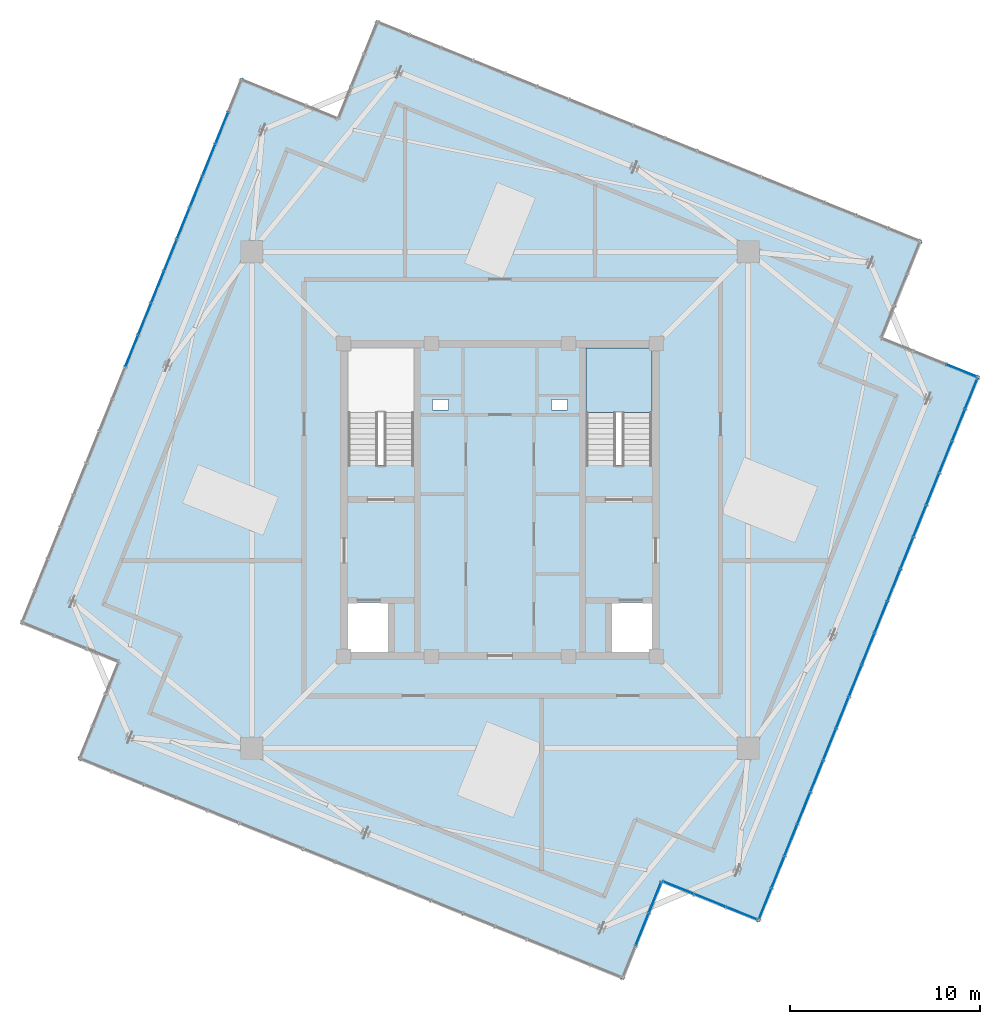
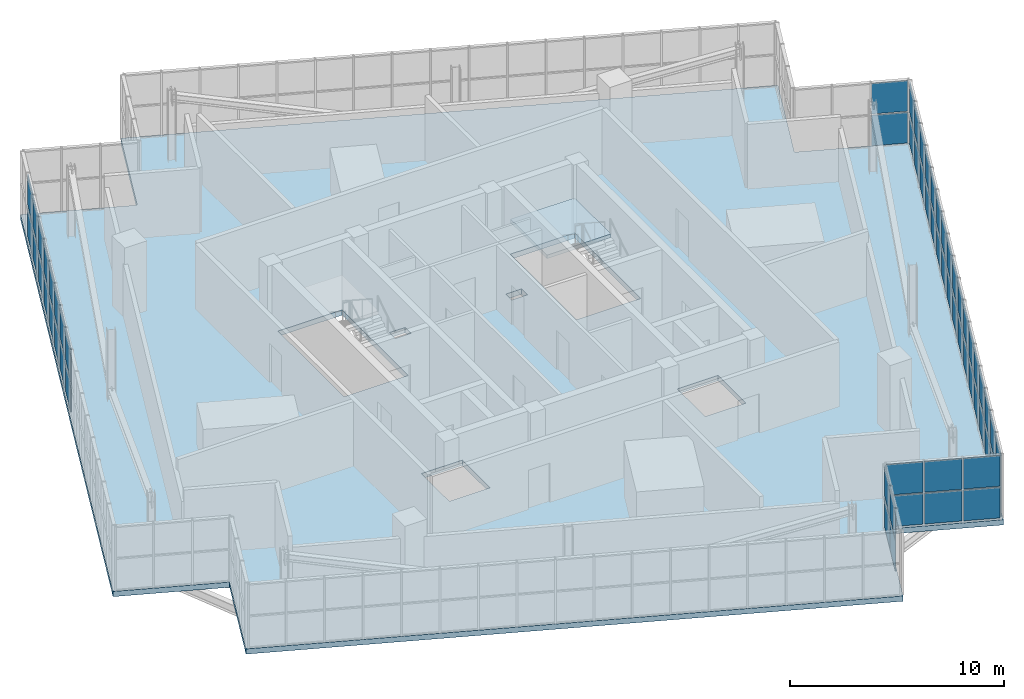
# One storey, part 19 of 26: 62 plates, 2 slabs, 6 elements without a shape of their own.
"""IFC4 building model written with IfcOpenShell, lengths in metres."""

import ifcopenshell
import ifcopenshell.guid

model = None  # the IFC model being written
_history = None  # IfcOwnerHistory: only IFC2X3 demands one
_inside = {}  # id of a spatial element -> (the spatial element, [elements in it])
_under = {}  # id of a project, library or spatial element -> (it, [spatial elements below it])
_declared = {}  # id of a project -> (the project, [libraries it declares])
_typed = {}  # id of a type object -> (the type object, [elements of that type])
_made_of = {}  # id of a material, layer set ... -> (it, [elements and type objects made of it])


def new_model(schema):
    """Start an empty IFC model of exactly this schema.

    Asked for "IFC4X3", IfcOpenShell would pick the latest addendum, in which some entities
    have other attributes; the version numbers below select the first issue.
    IFC2X3 requires an IfcOwnerHistory on every rooted entity: one is made here for all.
    """
    global model, _history
    if schema == "IFC4X3":
        model = ifcopenshell.file(schema_version=(4, 3, 0, 0))
    else:
        model = ifcopenshell.file(schema=schema)
    _inside.clear()
    _under.clear()
    _declared.clear()
    _typed.clear()
    _made_of.clear()
    _history = None
    if model.schema == "IFC2X3":
        org = make("IfcOrganization", Name="unknown")
        user = make(
            "IfcPersonAndOrganization",
            ThePerson=make("IfcPerson", FamilyName="unknown"),
            TheOrganization=org,
        )
        app = make(
            "IfcApplication",
            ApplicationDeveloper=org,
            Version="unknown",
            ApplicationFullName="unknown",
            ApplicationIdentifier="unknown",
        )
        _history = make(
            "IfcOwnerHistory",
            OwningUser=user,
            OwningApplication=app,
            ChangeAction="ADDED",
            CreationDate=0,
        )
    return model


def make(cls, **values):
    """One entity of the class cls with the attributes given. An attribute that is None is left unset."""
    return model.create_entity(
        cls, **{name: value for name, value in values.items() if value is not None}
    )


def rooted(cls, **values):
    """An entity with a GlobalId (a new one), such as an element, a storey or a relation."""
    return make(cls, GlobalId=ifcopenshell.guid.new(), OwnerHistory=_history, **values)


def si_unit(unit_type, name, prefix=None):
    """IfcSIUnit, for example si_unit("LENGTHUNIT", "METRE", prefix="MILLI")."""
    return make("IfcSIUnit", UnitType=unit_type, Prefix=prefix, Name=name)


def assignment(units):
    """IfcUnitAssignment: the units of a project."""
    return None if units is None else make("IfcUnitAssignment", Units=units)


def point(xyz):
    """IfcCartesianPoint."""
    return None if xyz is None else make("IfcCartesianPoint", Coordinates=xyz)


def direction(xyz):
    """IfcDirection."""
    return None if xyz is None else make("IfcDirection", DirectionRatios=xyz)


def frame(location, z_axis=None, x_axis=None):
    """IfcAxis2Placement3D, a coordinate frame: its origin and axes. An axis left out is left unset."""
    return make(
        "IfcAxis2Placement3D",
        Location=point(location),
        Axis=direction(z_axis),
        RefDirection=direction(x_axis),
    )


def frame_2d(location, x_axis=None):
    """IfcAxis2Placement2D, a coordinate frame in the plane: its origin and x axis."""
    return make(
        "IfcAxis2Placement2D", Location=point(location), RefDirection=direction(x_axis)
    )


def origin():
    """The frame at (0, 0, 0) with its axes left unset."""
    return frame((0.0, 0.0, 0.0))


def origin_2d():
    """The frame at (0, 0) in the plane with its x axis left unset."""
    return frame_2d((0.0, 0.0))


def place(relative_to, where):
    """IfcLocalPlacement: puts the frame where relative to a parent placement (None: the world)."""
    return make(
        "IfcLocalPlacement", PlacementRelTo=relative_to, RelativePlacement=where
    )


def context(
    kind, dimensions, precision=None, world=None, true_north=None, identifier=None
):
    """IfcGeometricRepresentationContext, for example the 3D "Model" context."""
    return make(
        "IfcGeometricRepresentationContext",
        ContextIdentifier=identifier,
        ContextType=kind,
        CoordinateSpaceDimension=dimensions,
        Precision=precision,
        WorldCoordinateSystem=world,
        TrueNorth=true_north,
    )


def subcontext(parent, identifier, kind, view, scale=None):
    """IfcGeometricRepresentationSubContext, for example "Body" below "Model"."""
    return make(
        "IfcGeometricRepresentationSubContext",
        ContextIdentifier=identifier,
        ContextType=kind,
        ParentContext=parent,
        TargetScale=scale,
        TargetView=view,
    )


def project(units=None, contexts=None):
    """IfcProject with its units and contexts."""
    return rooted(
        "IfcProject",
        Name="project",
        RepresentationContexts=contexts,
        UnitsInContext=assignment(units),
    )


def spatial(cls, under=None, at=None, **own):
    """A site, building, storey or space (cls), placed at a placement, below another one or the project."""
    s = rooted(cls, ObjectPlacement=at, **own)
    if under is not None:
        _under.setdefault(under.id(), (under, []))[1].append(s)
    return s


def polyline(points):
    """IfcPolyline through the points."""
    return make("IfcPolyline", Points=[point(p) for p in points])


def profile(cls, at=None, kind="AREA", **sizes):
    """A parametric profile (cls). Its sizes go by their IFC names, for example OverallWidth=200.0."""
    return make(cls, ProfileType=kind, Position=at, **sizes)


def rectangle(**sizes):
    """IfcRectangleProfileDef."""
    return profile("IfcRectangleProfileDef", **sizes)


def outline(outer, holes=None, kind="AREA"):
    """IfcArbitraryClosedProfileDef: a profile drawn as a closed curve; with holes, ...WithVoids."""
    if holes is None:
        return make("IfcArbitraryClosedProfileDef", ProfileType=kind, OuterCurve=outer)
    return make(
        "IfcArbitraryProfileDefWithVoids",
        ProfileType=kind,
        OuterCurve=outer,
        InnerCurves=holes,
    )


def extrude(swept, where, along, depth):
    """IfcExtrudedAreaSolid: the profile swept, set in the frame where, extruded along a direction by depth."""
    return make(
        "IfcExtrudedAreaSolid",
        SweptArea=swept,
        Position=where,
        ExtrudedDirection=direction(along),
        Depth=depth,
    )


def shape(context_of_items, identifier, shape_type, items):
    """IfcShapeRepresentation: the items that make up one representation, for example the "Body"."""
    return make(
        "IfcShapeRepresentation",
        ContextOfItems=context_of_items,
        RepresentationIdentifier=identifier,
        RepresentationType=shape_type,
        Items=items,
    )


def source(mapping_origin, context_of_items, identifier, shape_type, items):
    """IfcRepresentationMap: a shape defined once, which mapped items show again and again."""
    return make(
        "IfcRepresentationMap",
        MappingOrigin=mapping_origin,
        MappedRepresentation=shape(context_of_items, identifier, shape_type, items),
    )


def transform(
    local_origin,
    x_axis=None,
    y_axis=None,
    z_axis=None,
    scale=None,
    scale2=None,
    scale3=None,
    uniform=True,
):
    """IfcCartesianTransformationOperator3D, or its non-uniform kind. x_axis, y_axis, z_axis: its Axis1, 2, 3."""
    if uniform:
        return make(
            "IfcCartesianTransformationOperator3D",
            Axis1=direction(x_axis),
            Axis2=direction(y_axis),
            LocalOrigin=point(local_origin),
            Scale=scale,
            Axis3=direction(z_axis),
        )
    return make(
        "IfcCartesianTransformationOperator3DnonUniform",
        Axis1=direction(x_axis),
        Axis2=direction(y_axis),
        LocalOrigin=point(local_origin),
        Scale=scale,
        Axis3=direction(z_axis),
        Scale2=scale2,
        Scale3=scale3,
    )


def mapped(mapping_source, mapping_target):
    """IfcMappedItem: shows the shape of a source again, moved by a transform."""
    return make(
        "IfcMappedItem", MappingSource=mapping_source, MappingTarget=mapping_target
    )


def material(Name=None, Category=None):
    """IfcMaterial."""
    return make("IfcMaterial", Name=Name, Category=Category)


def layer(
    of_material, thickness, ventilated=None, Name=None, Category=None, Priority=None
):
    """IfcMaterialLayer: one layer of a wall or slab, of a material (None: an air gap)."""
    return make(
        "IfcMaterialLayer",
        Material=of_material,
        LayerThickness=thickness,
        IsVentilated=ventilated,
        Name=Name,
        Category=Category,
        Priority=Priority,
    )


def layer_set(layers, Name=None):
    """IfcMaterialLayerSet."""
    return make("IfcMaterialLayerSet", MaterialLayers=layers, LayerSetName=Name)


def made_of(thing, what):
    """Note that an element or type object is made of a material, layer set ...; save() writes the relation."""
    if what is not None:
        _made_of.setdefault(what.id(), (what, []))[1].append(thing)
    return thing


def type_object(cls, material=None, **own):
    """A type object (cls), such as IfcWallType, which elements share."""
    return made_of(rooted(cls, **own), material)


def element(
    cls,
    number,
    at=None,
    inside=None,
    cuts=None,
    type_object=None,
    material=None,
    context=None,
    identifier="Body",
    shape_type=None,
    held_by="IfcProductDefinitionShape",
    body=None,
    shapes=None,
    **own,
):
    """One element of the class cls, such as IfcWall. Its Tag is "e" and its number.

    at: its placement. inside: the storey or other place that contains it. cuts: it is an
    opening in that element (IfcRelVoidsElement). A single representation is given by context,
    identifier, shape_type and body (its items); several are given by shapes. held_by: the class
    of the entity that holds the representations. save() writes the other relations.
    """
    e = rooted(cls, Tag="e%d" % number, ObjectPlacement=at, **own)
    if body is not None:
        shapes = [shape(context, identifier, shape_type, body)]
    if shapes is not None:
        e.Representation = make(held_by, Representations=shapes)
    if inside is not None:
        _inside.setdefault(inside.id(), (inside, []))[1].append(e)
    if cuts is not None:
        rooted(
            "IfcRelVoidsElement", RelatingBuildingElement=cuts, RelatedOpeningElement=e
        )
    if type_object is not None:
        _typed.setdefault(type_object.id(), (type_object, []))[1].append(e)
    return made_of(e, material)


def aggregate(whole, parts):
    """IfcRelAggregates: a whole, such as a stair, and the parts it consists of."""
    return rooted("IfcRelAggregates", RelatingObject=whole, RelatedObjects=parts)


def save(model, path):
    """Write the relations noted so far, then the file.

    IfcRelAggregates (storeys below a building ...), IfcRelContainedInSpatialStructure (elements
    in a storey), IfcRelDefinesByType, IfcRelAssociatesMaterial and IfcRelDeclares: one each for
    every whole, place, type object, material and project.
    """
    for whole, parts in _under.values():
        aggregate(whole, parts)
    for where, things in _inside.values():
        rooted(
            "IfcRelContainedInSpatialStructure",
            RelatedElements=things,
            RelatingStructure=where,
        )
    for kind, things in _typed.values():
        rooted("IfcRelDefinesByType", RelatedObjects=things, RelatingType=kind)
    for what, things in _made_of.values():
        rooted("IfcRelAssociatesMaterial", RelatedObjects=things, RelatingMaterial=what)
    for by, libraries in _declared.values():
        rooted("IfcRelDeclares", RelatingContext=by, RelatedDefinitions=libraries)
    model.write(path)


model = new_model("IFC4")

# Units and contexts
model_context = context("Model", 3, precision=1e-05, world=origin(), true_north=direction((0.0, 1.0)))
body_context = subcontext(model_context, "Body", "Model", "MODEL_VIEW")
ifc_project = project(units=[si_unit("LENGTHUNIT", "METRE"), si_unit("AREAUNIT", "SQUARE_METRE"), si_unit("VOLUMEUNIT", "CUBIC_METRE"), si_unit("PLANEANGLEUNIT", "RADIAN"), si_unit("MASSUNIT", "GRAM", prefix="KILO"), si_unit("THERMODYNAMICTEMPERATUREUNIT", "KELVIN")], contexts=[model_context])

# Site, building, storey
site_placement = place(None, origin())
site = spatial("IfcSite", under=ifc_project, at=site_placement, CompositionType="ELEMENT")
building_placement = place(site_placement, origin())
building = spatial("IfcBuilding", under=site, at=building_placement, Name="Kosmvard Interchange Tower", CompositionType="ELEMENT")
storey_placement = place(building_placement, frame((0.0, 0.0, 333.60009765625)))
storey = spatial("IfcBuildingStorey", under=building, at=storey_placement, Name="L82", CompositionType="ELEMENT", Elevation=333.60009765625)

# Slab
ifc_material_1 = material(Name="Concrete C50/60", Category="concrete")
ifc_layer_1 = layer(ifc_material_1, 0.300048828125, Name="Concrete C50/60")
ifc_layer_set_1 = layer_set([ifc_layer_1], Name="Concrete C50/60")
slab_type_1 = type_object("IfcSlabType", Name="Crown Plant Equipment Slab 300 C50/60", PredefinedType="FLOOR", material=ifc_layer_set_1)
slab_1_placement = place(storey_placement, frame((0.0, 0.0, -0.300048828125)))
element("IfcSlab", 1, at=slab_1_placement, inside=storey, type_object=slab_type_1, Name="L82 Structural Floor Slab", PredefinedType="FLOOR", context=body_context, shape_type="SweptSolid", body=[
    extrude(outline(polyline([(13.66455078125, -22.238037109375), (25.27734375, 6.504638671875), (20.177734375, 8.56494140625), (22.238037109375, 13.66455078125), (-6.504638671875, 25.27734375), (-8.56494140625, 20.177734375), (-13.66455078125, 22.238037109375), (-25.27734375, -6.504638671875), (-20.177734375, -8.56494140625), (-22.238037109375, -13.66455078125), (6.504638671875, -25.27734375), (8.56494140625, -20.177734375), (13.66455078125, -22.238037109375)]), holes=[polyline([(-8.0, 1.8349609375), (-4.5400390625, 1.8349609375), (-4.5400390625, 8.0), (-8.0, 8.0), (-8.0, 1.8349609375)]), polyline([(4.5400390625, 1.8349609375), (8.0, 1.8349609375), (8.0, 8.0), (4.5400390625, 8.0), (4.5400390625, 1.8349609375)]), polyline([(-8.0, -8.0), (-5.800048828125, -8.0), (-5.800048828125, -5.39990234375), (-8.0, -5.39990234375), (-8.0, -8.0)]), polyline([(5.800048828125, -8.0), (8.0, -8.0), (8.0, -5.39990234375), (5.800048828125, -5.39990234375), (5.800048828125, -8.0)]), polyline([(-3.56494140625, 4.739990234375), (-2.715087890625, 4.739990234375), (-2.715087890625, 5.2900390625), (-3.56494140625, 5.2900390625), (-3.56494140625, 4.739990234375)]), polyline([(2.715087890625, 4.739990234375), (3.56494140625, 4.739990234375), (3.56494140625, 5.2900390625), (2.715087890625, 5.2900390625), (2.715087890625, 4.739990234375)])]), origin(), (0.0, 0.0, 1.0), 0.300048828125),
])

# Stair, slab
stair_type = type_object("IfcStairType", Name="Dog-Leg Core Exit Stair H4000 C50/60", PredefinedType="HALF_TURN_STAIR", material=ifc_material_1)
stair_placement = place(storey_placement, origin())
stair = element("IfcStair", 2, at=stair_placement, inside=storey, type_object=stair_type, Name="L82 Protected Exit Stair ST-2", PredefinedType="HALF_TURN_STAIR")
ifc_layer_2 = layer(ifc_material_1, 0.199951171875, Name="Concrete C50/60")
ifc_layer_set_2 = layer_set([ifc_layer_2], Name="Concrete C50/60")
slab_type_2 = type_object("IfcSlabType", Name="Stair Half-Landing Slab 200 C50/60", PredefinedType="LANDING", material=ifc_layer_set_2)
slab_2_placement = place(storey_placement, frame((0.0, 0.0, 1.7998046875)))
slab_2 = element("IfcSlab", 3, at=slab_2_placement, type_object=slab_type_2, Name="ST-2 landing 1", PredefinedType="LANDING", context=body_context, shape_type="SweptSolid", body=[
    extrude(outline(polyline([(8.0, 4.60009765625), (8.0, 8.0), (4.5400390625, 8.0), (4.5400390625, 4.60009765625), (8.0, 4.60009765625)])), origin(), (0.0, 0.0, 1.0), 0.2001953125),
])
aggregate(stair, [slab_2])

# Curtain wall, plates
ifc_material_2 = material(Name="Architectural anodised aluminium", Category="aluminium")
ifc_layer_3 = layer(ifc_material_2, 0.25, Name="Architectural anodised aluminium")
ifc_layer_set_3 = layer_set([ifc_layer_3], Name="Architectural anodised aluminium")
curtain_wall_type = type_object("IfcCurtainWallType", Name="CW-6 Illuminated Crown Lantern Curtain Wall", PredefinedType="NOTDEFINED", material=ifc_layer_set_3)
curtain_wall_1_placement = place(storey_placement, origin())
curtain_wall_1 = element("IfcCurtainWall", 4, at=curtain_wall_1_placement, inside=storey, type_object=curtain_wall_type, Name="L82 Crown Lantern Glazing Face 01", PredefinedType="NOTDEFINED")
ifc_material_3 = material(Name="Laminated acoustic lantern glazing", Category="glass")
ifc_layer_4 = layer(ifc_material_3, 0.035888671875, Name="Laminated acoustic lantern glazing")
ifc_layer_set_4 = layer_set([ifc_layer_4], Name="Laminated acoustic lantern glazing")
plate_type = type_object("IfcPlateType", Name="Lantern Diffused Illuminated Panel 36", PredefinedType="CURTAIN_PANEL", material=ifc_layer_set_4)
shared_shape_1 = source(origin(), body_context, "Body", "SweptSolid", [
    extrude(rectangle(XDim=1.694091796875, YDim=0.035888671875, at=origin_2d()), origin(), (0.0, 0.0, 1.0), 1.7451171875),
])
plate_1_placement = place(storey_placement, frame((13.967529296875, -21.2744140625, 0.06982421875), z_axis=(0.0, 0.0, 1.0), x_axis=(0.374606584758, 0.927183858065, 0.0)))
plate_1 = element("IfcPlate", 5, at=plate_1_placement, type_object=plate_type, Name="CW-6 panel 1.1", PredefinedType="CURTAIN_PANEL", context=body_context, shape_type="MappedRepresentation", body=[
    mapped(shared_shape_1, transform((0.0, 0.0, 0.0), scale=1.0)),
])
plate_2_placement = place(storey_placement, frame((13.967529296875, -21.2744140625, 1.884765625), z_axis=(0.0, 0.0, 1.0), x_axis=(0.374606584758, 0.927183858065, 0.0)))
plate_2 = element("IfcPlate", 6, at=plate_2_placement, type_object=plate_type, Name="CW-6 panel 1.2", PredefinedType="CURTAIN_PANEL", context=body_context, shape_type="MappedRepresentation", body=[
    mapped(shared_shape_1, transform((0.0, 0.0, 0.0), scale=1.0)),
])
plate_3_placement = place(storey_placement, frame((24.825927734375, 5.600830078125, 0.06982421875), z_axis=(0.0, 0.0, 1.0), x_axis=(0.374606584758, 0.927183858065, 0.0)))
plate_3 = element("IfcPlate", 7, at=plate_3_placement, type_object=plate_type, Name="CW-6 panel 17.1", PredefinedType="CURTAIN_PANEL", context=body_context, shape_type="MappedRepresentation", body=[
    mapped(shared_shape_1, transform((0.0, 0.0, 0.0), scale=1.0)),
])
plate_4_placement = place(storey_placement, frame((24.825927734375, 5.600830078125, 1.884765625), z_axis=(0.0, 0.0, 1.0), x_axis=(0.374606584758, 0.927183858065, 0.0)))
plate_4 = element("IfcPlate", 8, at=plate_4_placement, type_object=plate_type, Name="CW-6 panel 17.2", PredefinedType="CURTAIN_PANEL", context=body_context, shape_type="MappedRepresentation", body=[
    mapped(shared_shape_1, transform((0.0, 0.0, 0.0), scale=1.0)),
])
shared_shape_2 = source(origin(), body_context, "Body", "SweptSolid", [
    extrude(rectangle(XDim=1.734130859375, YDim=0.035888671875, at=origin_2d()), origin(), (0.0, 0.0, 1.0), 1.7451171875),
])
plate_5_placement = place(storey_placement, frame((14.6396484375, -19.61083984375, 0.06982421875), z_axis=(0.0, 0.0, 1.0), x_axis=(0.374606584758, 0.927183858065, 0.0)))
plate_5 = element("IfcPlate", 9, at=plate_5_placement, type_object=plate_type, Name="CW-6 panel 2.1", PredefinedType="CURTAIN_PANEL", context=body_context, shape_type="MappedRepresentation", body=[
    mapped(shared_shape_2, transform((0.0, 0.0, 0.0), scale=1.0)),
])
plate_6_placement = place(storey_placement, frame((14.6396484375, -19.61083984375, 1.884765625), z_axis=(0.0, 0.0, 1.0), x_axis=(0.374606584758, 0.927183858065, 0.0)))
plate_6 = element("IfcPlate", 10, at=plate_6_placement, type_object=plate_type, Name="CW-6 panel 2.2", PredefinedType="CURTAIN_PANEL", context=body_context, shape_type="MappedRepresentation", body=[
    mapped(shared_shape_2, transform((0.0, 0.0, 0.0), scale=1.0)),
])
plate_7_placement = place(storey_placement, frame((15.319091796875, -17.928955078125, 0.06982421875), z_axis=(0.0, 0.0, 1.0), x_axis=(0.374606584758, 0.927183858065, 0.0)))
plate_7 = element("IfcPlate", 11, at=plate_7_placement, type_object=plate_type, Name="CW-6 panel 3.1", PredefinedType="CURTAIN_PANEL", context=body_context, shape_type="MappedRepresentation", body=[
    mapped(shared_shape_2, transform((0.0, 0.0, 0.0), scale=1.0)),
])
plate_8_placement = place(storey_placement, frame((15.319091796875, -17.928955078125, 1.884765625), z_axis=(0.0, 0.0, 1.0), x_axis=(0.374606584758, 0.927183858065, 0.0)))
plate_8 = element("IfcPlate", 12, at=plate_8_placement, type_object=plate_type, Name="CW-6 panel 3.2", PredefinedType="CURTAIN_PANEL", context=body_context, shape_type="MappedRepresentation", body=[
    mapped(shared_shape_2, transform((0.0, 0.0, 0.0), scale=1.0)),
])
plate_9_placement = place(storey_placement, frame((15.998779296875, -16.246826171875, 0.06982421875), z_axis=(0.0, 0.0, 1.0), x_axis=(0.374606584758, 0.927183858065, 0.0)))
plate_9 = element("IfcPlate", 13, at=plate_9_placement, type_object=plate_type, Name="CW-6 panel 4.1", PredefinedType="CURTAIN_PANEL", context=body_context, shape_type="MappedRepresentation", body=[
    mapped(shared_shape_2, transform((0.0, 0.0, 0.0), scale=1.0)),
])
plate_10_placement = place(storey_placement, frame((15.998779296875, -16.246826171875, 1.884765625), z_axis=(0.0, 0.0, 1.0), x_axis=(0.374606584758, 0.927183858065, 0.0)))
plate_10 = element("IfcPlate", 14, at=plate_10_placement, type_object=plate_type, Name="CW-6 panel 4.2", PredefinedType="CURTAIN_PANEL", context=body_context, shape_type="MappedRepresentation", body=[
    mapped(shared_shape_2, transform((0.0, 0.0, 0.0), scale=1.0)),
])
plate_11_placement = place(storey_placement, frame((16.678466796875, -14.56494140625, 0.06982421875), z_axis=(0.0, 0.0, 1.0), x_axis=(0.374606584758, 0.927183858065, 0.0)))
plate_11 = element("IfcPlate", 15, at=plate_11_placement, type_object=plate_type, Name="CW-6 panel 5.1", PredefinedType="CURTAIN_PANEL", context=body_context, shape_type="MappedRepresentation", body=[
    mapped(shared_shape_2, transform((0.0, 0.0, 0.0), scale=1.0)),
])
plate_12_placement = place(storey_placement, frame((16.678466796875, -14.56494140625, 1.884765625), z_axis=(0.0, 0.0, 1.0), x_axis=(0.374606584758, 0.927183858065, 0.0)))
plate_12 = element("IfcPlate", 16, at=plate_12_placement, type_object=plate_type, Name="CW-6 panel 5.2", PredefinedType="CURTAIN_PANEL", context=body_context, shape_type="MappedRepresentation", body=[
    mapped(shared_shape_2, transform((0.0, 0.0, 0.0), scale=1.0)),
])
plate_13_placement = place(storey_placement, frame((17.35791015625, -12.8828125, 0.06982421875), z_axis=(0.0, 0.0, 1.0), x_axis=(0.374606584758, 0.927183858065, 0.0)))
plate_13 = element("IfcPlate", 17, at=plate_13_placement, type_object=plate_type, Name="CW-6 panel 6.1", PredefinedType="CURTAIN_PANEL", context=body_context, shape_type="MappedRepresentation", body=[
    mapped(shared_shape_2, transform((0.0, 0.0, 0.0), scale=1.0)),
])
plate_14_placement = place(storey_placement, frame((17.35791015625, -12.8828125, 1.884765625), z_axis=(0.0, 0.0, 1.0), x_axis=(0.374606584758, 0.927183858065, 0.0)))
plate_14 = element("IfcPlate", 18, at=plate_14_placement, type_object=plate_type, Name="CW-6 panel 6.2", PredefinedType="CURTAIN_PANEL", context=body_context, shape_type="MappedRepresentation", body=[
    mapped(shared_shape_2, transform((0.0, 0.0, 0.0), scale=1.0)),
])
plate_15_placement = place(storey_placement, frame((18.03759765625, -11.200927734375, 0.06982421875), z_axis=(0.0, 0.0, 1.0), x_axis=(0.374606584758, 0.927183858065, 0.0)))
plate_15 = element("IfcPlate", 19, at=plate_15_placement, type_object=plate_type, Name="CW-6 panel 7.1", PredefinedType="CURTAIN_PANEL", context=body_context, shape_type="MappedRepresentation", body=[
    mapped(shared_shape_2, transform((0.0, 0.0, 0.0), scale=1.0)),
])
plate_16_placement = place(storey_placement, frame((18.03759765625, -11.200927734375, 1.884765625), z_axis=(0.0, 0.0, 1.0), x_axis=(0.374606584758, 0.927183858065, 0.0)))
plate_16 = element("IfcPlate", 20, at=plate_16_placement, type_object=plate_type, Name="CW-6 panel 7.2", PredefinedType="CURTAIN_PANEL", context=body_context, shape_type="MappedRepresentation", body=[
    mapped(shared_shape_2, transform((0.0, 0.0, 0.0), scale=1.0)),
])
plate_17_placement = place(storey_placement, frame((18.717041015625, -9.518798828125, 0.06982421875), z_axis=(0.0, 0.0, 1.0), x_axis=(0.374606584758, 0.927183858065, 0.0)))
plate_17 = element("IfcPlate", 21, at=plate_17_placement, type_object=plate_type, Name="CW-6 panel 8.1", PredefinedType="CURTAIN_PANEL", context=body_context, shape_type="MappedRepresentation", body=[
    mapped(shared_shape_2, transform((0.0, 0.0, 0.0), scale=1.0)),
])
plate_18_placement = place(storey_placement, frame((18.717041015625, -9.518798828125, 1.884765625), z_axis=(0.0, 0.0, 1.0), x_axis=(0.374606584758, 0.927183858065, 0.0)))
plate_18 = element("IfcPlate", 22, at=plate_18_placement, type_object=plate_type, Name="CW-6 panel 8.2", PredefinedType="CURTAIN_PANEL", context=body_context, shape_type="MappedRepresentation", body=[
    mapped(shared_shape_2, transform((0.0, 0.0, 0.0), scale=1.0)),
])
plate_19_placement = place(storey_placement, frame((19.396728515625, -7.836669921875, 0.06982421875), z_axis=(0.0, 0.0, 1.0), x_axis=(0.374606584758, 0.927183858065, 0.0)))
plate_19 = element("IfcPlate", 23, at=plate_19_placement, type_object=plate_type, Name="CW-6 panel 9.1", PredefinedType="CURTAIN_PANEL", context=body_context, shape_type="MappedRepresentation", body=[
    mapped(shared_shape_2, transform((0.0, 0.0, 0.0), scale=1.0)),
])
plate_20_placement = place(storey_placement, frame((19.396728515625, -7.836669921875, 1.884765625), z_axis=(0.0, 0.0, 1.0), x_axis=(0.374606584758, 0.927183858065, 0.0)))
plate_20 = element("IfcPlate", 24, at=plate_20_placement, type_object=plate_type, Name="CW-6 panel 9.2", PredefinedType="CURTAIN_PANEL", context=body_context, shape_type="MappedRepresentation", body=[
    mapped(shared_shape_2, transform((0.0, 0.0, 0.0), scale=1.0)),
])
plate_21_placement = place(storey_placement, frame((20.076171875, -6.15478515625, 0.06982421875), z_axis=(0.0, 0.0, 1.0), x_axis=(0.374606584758, 0.927183858065, 0.0)))
plate_21 = element("IfcPlate", 25, at=plate_21_placement, type_object=plate_type, Name="CW-6 panel 10.1", PredefinedType="CURTAIN_PANEL", context=body_context, shape_type="MappedRepresentation", body=[
    mapped(shared_shape_2, transform((0.0, 0.0, 0.0), scale=1.0)),
])
plate_22_placement = place(storey_placement, frame((20.076171875, -6.15478515625, 1.884765625), z_axis=(0.0, 0.0, 1.0), x_axis=(0.374606584758, 0.927183858065, 0.0)))
plate_22 = element("IfcPlate", 26, at=plate_22_placement, type_object=plate_type, Name="CW-6 panel 10.2", PredefinedType="CURTAIN_PANEL", context=body_context, shape_type="MappedRepresentation", body=[
    mapped(shared_shape_2, transform((0.0, 0.0, 0.0), scale=1.0)),
])
plate_23_placement = place(storey_placement, frame((20.755859375, -4.47265625, 0.06982421875), z_axis=(0.0, 0.0, 1.0), x_axis=(0.374606584758, 0.927183858065, 0.0)))
plate_23 = element("IfcPlate", 27, at=plate_23_placement, type_object=plate_type, Name="CW-6 panel 11.1", PredefinedType="CURTAIN_PANEL", context=body_context, shape_type="MappedRepresentation", body=[
    mapped(shared_shape_2, transform((0.0, 0.0, 0.0), scale=1.0)),
])
plate_24_placement = place(storey_placement, frame((20.755859375, -4.47265625, 1.884765625), z_axis=(0.0, 0.0, 1.0), x_axis=(0.374606584758, 0.927183858065, 0.0)))
plate_24 = element("IfcPlate", 28, at=plate_24_placement, type_object=plate_type, Name="CW-6 panel 11.2", PredefinedType="CURTAIN_PANEL", context=body_context, shape_type="MappedRepresentation", body=[
    mapped(shared_shape_2, transform((0.0, 0.0, 0.0), scale=1.0)),
])
plate_25_placement = place(storey_placement, frame((21.435546875, -2.790771484375, 0.06982421875), z_axis=(0.0, 0.0, 1.0), x_axis=(0.374606584758, 0.927183858065, 0.0)))
plate_25 = element("IfcPlate", 29, at=plate_25_placement, type_object=plate_type, Name="CW-6 panel 12.1", PredefinedType="CURTAIN_PANEL", context=body_context, shape_type="MappedRepresentation", body=[
    mapped(shared_shape_2, transform((0.0, 0.0, 0.0), scale=1.0)),
])
plate_26_placement = place(storey_placement, frame((21.435546875, -2.790771484375, 1.884765625), z_axis=(0.0, 0.0, 1.0), x_axis=(0.374606584758, 0.927183858065, 0.0)))
plate_26 = element("IfcPlate", 30, at=plate_26_placement, type_object=plate_type, Name="CW-6 panel 12.2", PredefinedType="CURTAIN_PANEL", context=body_context, shape_type="MappedRepresentation", body=[
    mapped(shared_shape_2, transform((0.0, 0.0, 0.0), scale=1.0)),
])
plate_27_placement = place(storey_placement, frame((22.114990234375, -1.108642578125, 0.06982421875), z_axis=(0.0, 0.0, 1.0), x_axis=(0.374606584758, 0.927183858065, 0.0)))
plate_27 = element("IfcPlate", 31, at=plate_27_placement, type_object=plate_type, Name="CW-6 panel 13.1", PredefinedType="CURTAIN_PANEL", context=body_context, shape_type="MappedRepresentation", body=[
    mapped(shared_shape_2, transform((0.0, 0.0, 0.0), scale=1.0)),
])
plate_28_placement = place(storey_placement, frame((22.114990234375, -1.108642578125, 1.884765625), z_axis=(0.0, 0.0, 1.0), x_axis=(0.374606584758, 0.927183858065, 0.0)))
plate_28 = element("IfcPlate", 32, at=plate_28_placement, type_object=plate_type, Name="CW-6 panel 13.2", PredefinedType="CURTAIN_PANEL", context=body_context, shape_type="MappedRepresentation", body=[
    mapped(shared_shape_2, transform((0.0, 0.0, 0.0), scale=1.0)),
])
plate_29_placement = place(storey_placement, frame((22.794677734375, 0.5732421875, 0.06982421875), z_axis=(0.0, 0.0, 1.0), x_axis=(0.374606584758, 0.927183858065, 0.0)))
plate_29 = element("IfcPlate", 33, at=plate_29_placement, type_object=plate_type, Name="CW-6 panel 14.1", PredefinedType="CURTAIN_PANEL", context=body_context, shape_type="MappedRepresentation", body=[
    mapped(shared_shape_2, transform((0.0, 0.0, 0.0), scale=1.0)),
])
plate_30_placement = place(storey_placement, frame((22.794677734375, 0.5732421875, 1.884765625), z_axis=(0.0, 0.0, 1.0), x_axis=(0.374606584758, 0.927183858065, 0.0)))
plate_30 = element("IfcPlate", 34, at=plate_30_placement, type_object=plate_type, Name="CW-6 panel 14.2", PredefinedType="CURTAIN_PANEL", context=body_context, shape_type="MappedRepresentation", body=[
    mapped(shared_shape_2, transform((0.0, 0.0, 0.0), scale=1.0)),
])
plate_31_placement = place(storey_placement, frame((23.47412109375, 2.25537109375, 0.06982421875), z_axis=(0.0, 0.0, 1.0), x_axis=(0.374606584758, 0.927183858065, 0.0)))
plate_31 = element("IfcPlate", 35, at=plate_31_placement, type_object=plate_type, Name="CW-6 panel 15.1", PredefinedType="CURTAIN_PANEL", context=body_context, shape_type="MappedRepresentation", body=[
    mapped(shared_shape_2, transform((0.0, 0.0, 0.0), scale=1.0)),
])
plate_32_placement = place(storey_placement, frame((23.47412109375, 2.25537109375, 1.884765625), z_axis=(0.0, 0.0, 1.0), x_axis=(0.374606584758, 0.927183858065, 0.0)))
plate_32 = element("IfcPlate", 36, at=plate_32_placement, type_object=plate_type, Name="CW-6 panel 15.2", PredefinedType="CURTAIN_PANEL", context=body_context, shape_type="MappedRepresentation", body=[
    mapped(shared_shape_2, transform((0.0, 0.0, 0.0), scale=1.0)),
])
plate_33_placement = place(storey_placement, frame((24.15380859375, 3.937255859375, 0.06982421875), z_axis=(0.0, 0.0, 1.0), x_axis=(0.374606584758, 0.927183858065, 0.0)))
plate_33 = element("IfcPlate", 37, at=plate_33_placement, type_object=plate_type, Name="CW-6 panel 16.1", PredefinedType="CURTAIN_PANEL", context=body_context, shape_type="MappedRepresentation", body=[
    mapped(shared_shape_2, transform((0.0, 0.0, 0.0), scale=1.0)),
])
plate_34_placement = place(storey_placement, frame((24.15380859375, 3.937255859375, 1.884765625), z_axis=(0.0, 0.0, 1.0), x_axis=(0.374606584758, 0.927183858065, 0.0)))
plate_34 = element("IfcPlate", 38, at=plate_34_placement, type_object=plate_type, Name="CW-6 panel 16.2", PredefinedType="CURTAIN_PANEL", context=body_context, shape_type="MappedRepresentation", body=[
    mapped(shared_shape_2, transform((0.0, 0.0, 0.0), scale=1.0)),
])
aggregate(curtain_wall_1, [plate_1, plate_2, plate_5, plate_6, plate_7, plate_8, plate_9, plate_10, plate_11, plate_12, plate_13, plate_14, plate_15, plate_16, plate_17, plate_18, plate_19, plate_20, plate_21, plate_22, plate_23, plate_24, plate_25, plate_26, plate_27, plate_28, plate_29, plate_30, plate_31, plate_32, plate_33, plate_34, plate_3, plate_4])

curtain_wall_2_placement = place(storey_placement, origin())
curtain_wall_2 = element("IfcCurtainWall", 39, at=curtain_wall_2_placement, inside=storey, type_object=curtain_wall_type, Name="L82 Crown Lantern Glazing Face 07", PredefinedType="NOTDEFINED")
plate_35_placement = place(storey_placement, frame((-14.6396484375, 19.61083984375, 0.06982421875), z_axis=(0.0, 0.0, 1.0), x_axis=(-0.374606584758, -0.927183858065, 0.0)))
plate_35 = element("IfcPlate", 40, at=plate_35_placement, type_object=plate_type, Name="CW-6 panel 2.1", PredefinedType="CURTAIN_PANEL", context=body_context, shape_type="MappedRepresentation", body=[
    mapped(shared_shape_2, transform((0.0, 0.0, 0.0), scale=1.0)),
])
plate_36_placement = place(storey_placement, frame((-14.6396484375, 19.61083984375, 1.884765625), z_axis=(0.0, 0.0, 1.0), x_axis=(-0.374606584758, -0.927183858065, 0.0)))
plate_36 = element("IfcPlate", 41, at=plate_36_placement, type_object=plate_type, Name="CW-6 panel 2.2", PredefinedType="CURTAIN_PANEL", context=body_context, shape_type="MappedRepresentation", body=[
    mapped(shared_shape_2, transform((0.0, 0.0, 0.0), scale=1.0)),
])
plate_37_placement = place(storey_placement, frame((-15.319091796875, 17.928955078125, 0.06982421875), z_axis=(0.0, 0.0, 1.0), x_axis=(-0.374606584758, -0.927183858065, 0.0)))
plate_37 = element("IfcPlate", 42, at=plate_37_placement, type_object=plate_type, Name="CW-6 panel 3.1", PredefinedType="CURTAIN_PANEL", context=body_context, shape_type="MappedRepresentation", body=[
    mapped(shared_shape_2, transform((0.0, 0.0, 0.0), scale=1.0)),
])
plate_38_placement = place(storey_placement, frame((-15.319091796875, 17.928955078125, 1.884765625), z_axis=(0.0, 0.0, 1.0), x_axis=(-0.374606584758, -0.927183858065, 0.0)))
plate_38 = element("IfcPlate", 43, at=plate_38_placement, type_object=plate_type, Name="CW-6 panel 3.2", PredefinedType="CURTAIN_PANEL", context=body_context, shape_type="MappedRepresentation", body=[
    mapped(shared_shape_2, transform((0.0, 0.0, 0.0), scale=1.0)),
])
plate_39_placement = place(storey_placement, frame((-15.998779296875, 16.246826171875, 0.06982421875), z_axis=(0.0, 0.0, 1.0), x_axis=(-0.374606584758, -0.927183858065, 0.0)))
plate_39 = element("IfcPlate", 44, at=plate_39_placement, type_object=plate_type, Name="CW-6 panel 4.1", PredefinedType="CURTAIN_PANEL", context=body_context, shape_type="MappedRepresentation", body=[
    mapped(shared_shape_2, transform((0.0, 0.0, 0.0), scale=1.0)),
])
plate_40_placement = place(storey_placement, frame((-15.998779296875, 16.246826171875, 1.884765625), z_axis=(0.0, 0.0, 1.0), x_axis=(-0.374606584758, -0.927183858065, 0.0)))
plate_40 = element("IfcPlate", 45, at=plate_40_placement, type_object=plate_type, Name="CW-6 panel 4.2", PredefinedType="CURTAIN_PANEL", context=body_context, shape_type="MappedRepresentation", body=[
    mapped(shared_shape_2, transform((0.0, 0.0, 0.0), scale=1.0)),
])
plate_41_placement = place(storey_placement, frame((-16.678466796875, 14.56494140625, 0.06982421875), z_axis=(0.0, 0.0, 1.0), x_axis=(-0.374606584758, -0.927183858065, 0.0)))
plate_41 = element("IfcPlate", 46, at=plate_41_placement, type_object=plate_type, Name="CW-6 panel 5.1", PredefinedType="CURTAIN_PANEL", context=body_context, shape_type="MappedRepresentation", body=[
    mapped(shared_shape_2, transform((0.0, 0.0, 0.0), scale=1.0)),
])
plate_42_placement = place(storey_placement, frame((-16.678466796875, 14.56494140625, 1.884765625), z_axis=(0.0, 0.0, 1.0), x_axis=(-0.374606584758, -0.927183858065, 0.0)))
plate_42 = element("IfcPlate", 47, at=plate_42_placement, type_object=plate_type, Name="CW-6 panel 5.2", PredefinedType="CURTAIN_PANEL", context=body_context, shape_type="MappedRepresentation", body=[
    mapped(shared_shape_2, transform((0.0, 0.0, 0.0), scale=1.0)),
])
plate_43_placement = place(storey_placement, frame((-17.35791015625, 12.8828125, 0.06982421875), z_axis=(0.0, 0.0, 1.0), x_axis=(-0.374606584758, -0.927183858065, 0.0)))
plate_43 = element("IfcPlate", 48, at=plate_43_placement, type_object=plate_type, Name="CW-6 panel 6.1", PredefinedType="CURTAIN_PANEL", context=body_context, shape_type="MappedRepresentation", body=[
    mapped(shared_shape_2, transform((0.0, 0.0, 0.0), scale=1.0)),
])
plate_44_placement = place(storey_placement, frame((-17.35791015625, 12.8828125, 1.884765625), z_axis=(0.0, 0.0, 1.0), x_axis=(-0.374606584758, -0.927183858065, 0.0)))
plate_44 = element("IfcPlate", 49, at=plate_44_placement, type_object=plate_type, Name="CW-6 panel 6.2", PredefinedType="CURTAIN_PANEL", context=body_context, shape_type="MappedRepresentation", body=[
    mapped(shared_shape_2, transform((0.0, 0.0, 0.0), scale=1.0)),
])
plate_45_placement = place(storey_placement, frame((-18.03759765625, 11.200927734375, 0.06982421875), z_axis=(0.0, 0.0, 1.0), x_axis=(-0.374606584758, -0.927183858065, 0.0)))
plate_45 = element("IfcPlate", 50, at=plate_45_placement, type_object=plate_type, Name="CW-6 panel 7.1", PredefinedType="CURTAIN_PANEL", context=body_context, shape_type="MappedRepresentation", body=[
    mapped(shared_shape_2, transform((0.0, 0.0, 0.0), scale=1.0)),
])
plate_46_placement = place(storey_placement, frame((-18.03759765625, 11.200927734375, 1.884765625), z_axis=(0.0, 0.0, 1.0), x_axis=(-0.374606584758, -0.927183858065, 0.0)))
plate_46 = element("IfcPlate", 51, at=plate_46_placement, type_object=plate_type, Name="CW-6 panel 7.2", PredefinedType="CURTAIN_PANEL", context=body_context, shape_type="MappedRepresentation", body=[
    mapped(shared_shape_2, transform((0.0, 0.0, 0.0), scale=1.0)),
])
plate_47_placement = place(storey_placement, frame((-18.717041015625, 9.518798828125, 0.06982421875), z_axis=(0.0, 0.0, 1.0), x_axis=(-0.374606584758, -0.927183858065, 0.0)))
plate_47 = element("IfcPlate", 52, at=plate_47_placement, type_object=plate_type, Name="CW-6 panel 8.1", PredefinedType="CURTAIN_PANEL", context=body_context, shape_type="MappedRepresentation", body=[
    mapped(shared_shape_2, transform((0.0, 0.0, 0.0), scale=1.0)),
])
plate_48_placement = place(storey_placement, frame((-18.717041015625, 9.518798828125, 1.884765625), z_axis=(0.0, 0.0, 1.0), x_axis=(-0.374606584758, -0.927183858065, 0.0)))
plate_48 = element("IfcPlate", 53, at=plate_48_placement, type_object=plate_type, Name="CW-6 panel 8.2", PredefinedType="CURTAIN_PANEL", context=body_context, shape_type="MappedRepresentation", body=[
    mapped(shared_shape_2, transform((0.0, 0.0, 0.0), scale=1.0)),
])
plate_49_placement = place(storey_placement, frame((-19.396728515625, 7.836669921875, 0.06982421875), z_axis=(0.0, 0.0, 1.0), x_axis=(-0.374606584758, -0.927183858065, 0.0)))
plate_49 = element("IfcPlate", 54, at=plate_49_placement, type_object=plate_type, Name="CW-6 panel 9.1", PredefinedType="CURTAIN_PANEL", context=body_context, shape_type="MappedRepresentation", body=[
    mapped(shared_shape_2, transform((0.0, 0.0, 0.0), scale=1.0)),
])
plate_50_placement = place(storey_placement, frame((-19.396728515625, 7.836669921875, 1.884765625), z_axis=(0.0, 0.0, 1.0), x_axis=(-0.374606584758, -0.927183858065, 0.0)))
plate_50 = element("IfcPlate", 55, at=plate_50_placement, type_object=plate_type, Name="CW-6 panel 9.2", PredefinedType="CURTAIN_PANEL", context=body_context, shape_type="MappedRepresentation", body=[
    mapped(shared_shape_2, transform((0.0, 0.0, 0.0), scale=1.0)),
])
aggregate(curtain_wall_2, [plate_35, plate_36, plate_37, plate_38, plate_39, plate_40, plate_41, plate_42, plate_43, plate_44, plate_45, plate_46, plate_47, plate_48, plate_49, plate_50])

curtain_wall_3_placement = place(storey_placement, origin())
curtain_wall_3 = element("IfcCurtainWall", 56, at=curtain_wall_3_placement, inside=storey, type_object=curtain_wall_type, Name="L82 Crown Lantern Glazing Face 02", PredefinedType="NOTDEFINED")
shared_shape_3 = source(origin(), body_context, "Body", "SweptSolid", [
    extrude(rectangle(XDim=1.71337890625, YDim=0.035888671875, at=origin_2d()), origin(), (0.0, 0.0, 1.0), 1.7451171875),
])
plate_51_placement = place(storey_placement, frame((24.3046875, 6.811279296875, 0.06982421875), z_axis=(0.0, 0.0, 1.0), x_axis=(-0.92718386612, 0.374606564822, 0.0)))
plate_51 = element("IfcPlate", 57, at=plate_51_placement, type_object=plate_type, Name="CW-6 panel 1.1", PredefinedType="CURTAIN_PANEL", context=body_context, shape_type="MappedRepresentation", body=[
    mapped(shared_shape_3, transform((0.0, 0.0, 0.0), scale=1.0)),
])
plate_52_placement = place(storey_placement, frame((24.3046875, 6.811279296875, 1.884765625), z_axis=(0.0, 0.0, 1.0), x_axis=(-0.92718386612, 0.374606564822, 0.0)))
plate_52 = element("IfcPlate", 58, at=plate_52_placement, type_object=plate_type, Name="CW-6 panel 1.2", PredefinedType="CURTAIN_PANEL", context=body_context, shape_type="MappedRepresentation", body=[
    mapped(shared_shape_3, transform((0.0, 0.0, 0.0), scale=1.0)),
])
aggregate(curtain_wall_3, [plate_51, plate_52])

curtain_wall_4_placement = place(storey_placement, origin())
curtain_wall_4 = element("IfcCurtainWall", 59, at=curtain_wall_4_placement, inside=storey, type_object=curtain_wall_type, Name="L82 Crown Lantern Glazing Face 11", PredefinedType="NOTDEFINED")
plate_53_placement = place(storey_placement, frame((8.169921875, -20.942138671875, 0.06982421875), z_axis=(0.0, 0.0, 1.0), x_axis=(0.374606564822, 0.92718386612, 0.0)))
plate_53 = element("IfcPlate", 60, at=plate_53_placement, type_object=plate_type, Name="CW-6 panel 3.1", PredefinedType="CURTAIN_PANEL", context=body_context, shape_type="MappedRepresentation", body=[
    mapped(shared_shape_3, transform((0.0, 0.0, 0.0), scale=1.0)),
])
plate_54_placement = place(storey_placement, frame((8.169921875, -20.942138671875, 1.884765625), z_axis=(0.0, 0.0, 1.0), x_axis=(0.374606564822, 0.92718386612, 0.0)))
plate_54 = element("IfcPlate", 61, at=plate_54_placement, type_object=plate_type, Name="CW-6 panel 3.2", PredefinedType="CURTAIN_PANEL", context=body_context, shape_type="MappedRepresentation", body=[
    mapped(shared_shape_3, transform((0.0, 0.0, 0.0), scale=1.0)),
])

curtain_wall_5_placement = place(storey_placement, origin())
curtain_wall_5 = element("IfcCurtainWall", 62, at=curtain_wall_5_placement, inside=storey, type_object=curtain_wall_type, Name="L82 Crown Lantern Glazing Face 12", PredefinedType="NOTDEFINED")
plate_55_placement = place(storey_placement, frame((9.38916015625, -20.424560546875, 0.06982421875), z_axis=(0.0, 0.0, 1.0), x_axis=(0.927183891631, -0.374606501678, 0.0)))
plate_55 = element("IfcPlate", 63, at=plate_55_placement, type_object=plate_type, Name="CW-6 panel 1.1", PredefinedType="CURTAIN_PANEL", context=body_context, shape_type="MappedRepresentation", body=[
    mapped(shared_shape_3, transform((0.0, 0.0, 0.0), scale=1.0)),
])
plate_56_placement = place(storey_placement, frame((9.38916015625, -20.424560546875, 1.884765625), z_axis=(0.0, 0.0, 1.0), x_axis=(0.927183891631, -0.374606501678, 0.0)))
plate_56 = element("IfcPlate", 64, at=plate_56_placement, type_object=plate_type, Name="CW-6 panel 1.2", PredefinedType="CURTAIN_PANEL", context=body_context, shape_type="MappedRepresentation", body=[
    mapped(shared_shape_3, transform((0.0, 0.0, 0.0), scale=1.0)),
])
plate_57_placement = place(storey_placement, frame((12.751708984375, -21.782958984375, 0.06982421875), z_axis=(0.0, 0.0, 1.0), x_axis=(0.927183891631, -0.374606501678, 0.0)))
plate_57 = element("IfcPlate", 65, at=plate_57_placement, type_object=plate_type, Name="CW-6 panel 3.1", PredefinedType="CURTAIN_PANEL", context=body_context, shape_type="MappedRepresentation", body=[
    mapped(shared_shape_3, transform((0.0, 0.0, 0.0), scale=1.0)),
])
plate_58_placement = place(storey_placement, frame((12.751708984375, -21.782958984375, 1.884765625), z_axis=(0.0, 0.0, 1.0), x_axis=(0.927183891631, -0.374606501678, 0.0)))
plate_58 = element("IfcPlate", 66, at=plate_58_placement, type_object=plate_type, Name="CW-6 panel 3.2", PredefinedType="CURTAIN_PANEL", context=body_context, shape_type="MappedRepresentation", body=[
    mapped(shared_shape_3, transform((0.0, 0.0, 0.0), scale=1.0)),
])

# Plate
shared_shape_4 = source(origin(), body_context, "Body", "SweptSolid", [
    extrude(rectangle(XDim=1.75341796875, YDim=0.035888671875, at=origin_2d()), origin(), (0.0, 0.0, 1.0), 1.7451171875),
])
plate_59_placement = place(storey_placement, frame((7.490478515625, -22.623291015625, 0.06982421875), z_axis=(0.0, 0.0, 1.0), x_axis=(0.374606564822, 0.92718386612, 0.0)))
plate_59 = element("IfcPlate", 67, at=plate_59_placement, type_object=plate_type, Name="CW-6 panel 2.1", PredefinedType="CURTAIN_PANEL", context=body_context, shape_type="MappedRepresentation", body=[
    mapped(shared_shape_4, transform((0.0, 0.0, 0.0), scale=1.0)),
])

plate_60_placement = place(storey_placement, frame((7.490478515625, -22.623291015625, 1.884765625), z_axis=(0.0, 0.0, 1.0), x_axis=(0.374606564822, 0.92718386612, 0.0)))
plate_60 = element("IfcPlate", 68, at=plate_60_placement, type_object=plate_type, Name="CW-6 panel 2.2", PredefinedType="CURTAIN_PANEL", context=body_context, shape_type="MappedRepresentation", body=[
    mapped(shared_shape_4, transform((0.0, 0.0, 0.0), scale=1.0)),
])

aggregate(curtain_wall_4, [plate_59, plate_60, plate_53, plate_54])

plate_61_placement = place(storey_placement, frame((11.070556640625, -21.103759765625, 0.06982421875), z_axis=(0.0, 0.0, 1.0), x_axis=(0.927183891631, -0.374606501678, 0.0)))
plate_61 = element("IfcPlate", 69, at=plate_61_placement, type_object=plate_type, Name="CW-6 panel 2.1", PredefinedType="CURTAIN_PANEL", context=body_context, shape_type="MappedRepresentation", body=[
    mapped(shared_shape_4, transform((0.0, 0.0, 0.0), scale=1.0)),
])

plate_62_placement = place(storey_placement, frame((11.070556640625, -21.103759765625, 1.884765625), z_axis=(0.0, 0.0, 1.0), x_axis=(0.927183891631, -0.374606501678, 0.0)))
plate_62 = element("IfcPlate", 70, at=plate_62_placement, type_object=plate_type, Name="CW-6 panel 2.2", PredefinedType="CURTAIN_PANEL", context=body_context, shape_type="MappedRepresentation", body=[
    mapped(shared_shape_4, transform((0.0, 0.0, 0.0), scale=1.0)),
])

aggregate(curtain_wall_5, [plate_55, plate_56, plate_61, plate_62, plate_57, plate_58])

save(model, "model.ifc")
